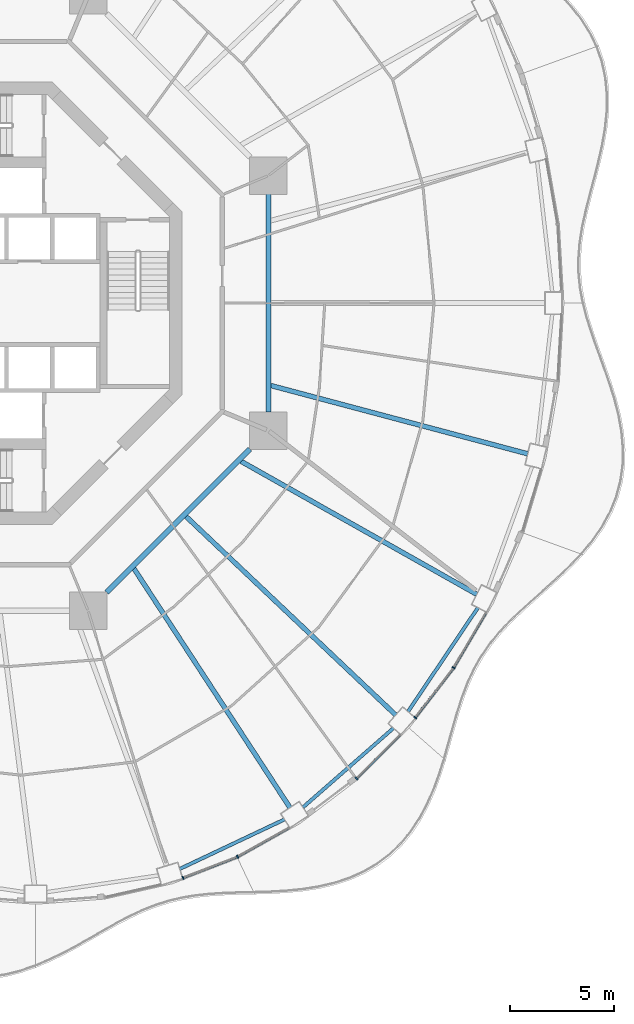
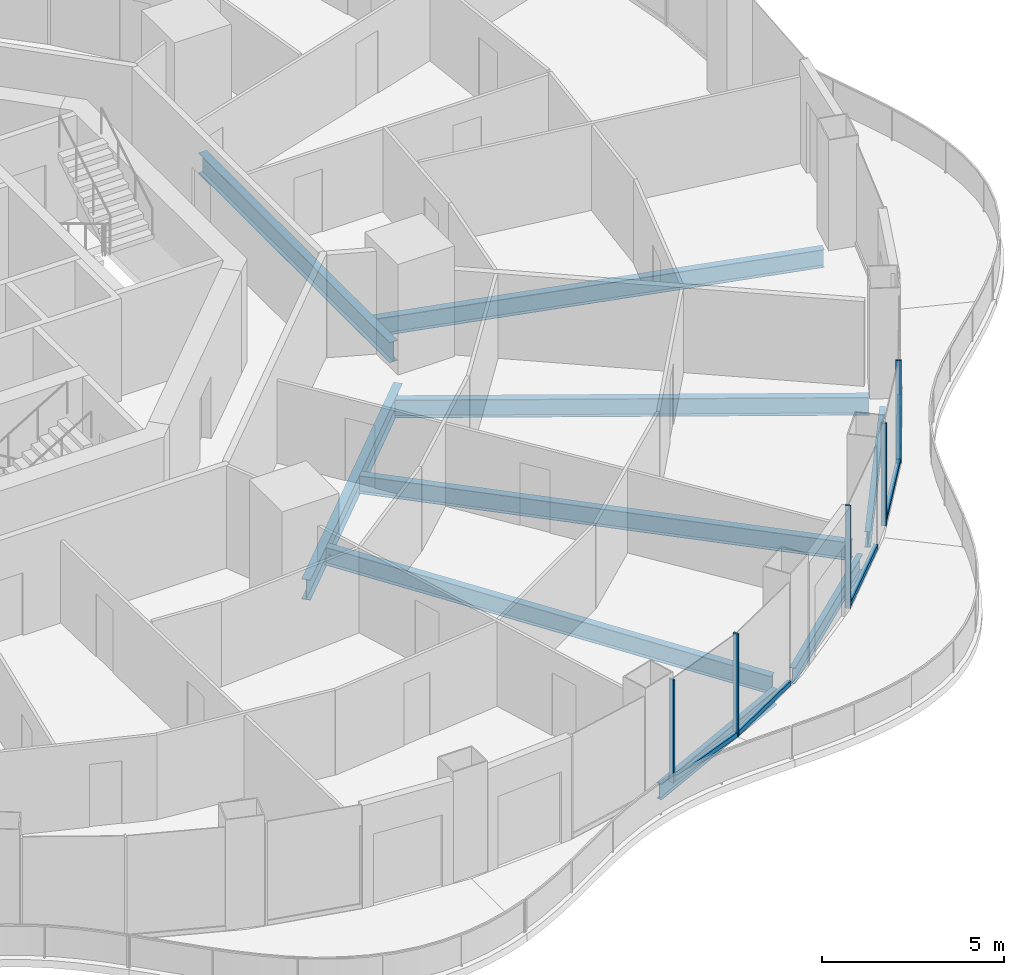
# One storey, part 4 of 19: 10 members, 9 beams, 5 elements without a shape of their own.
"""IFC4 building model written with IfcOpenShell, lengths in metres."""

from ifc_helpers import new_model, si_unit, direction, frame, origin, origin_2d, place, context, subcontext, project, spatial, rectangle, i_section, extrude, material, layer, layer_set, material_profile, profile_set, type_object, element, aggregate, save


model = new_model("IFC4")

# Units and contexts
model_context = context("Model", 3, precision=1e-05, world=origin(), true_north=direction((0.0, 1.0)))
body_context = subcontext(model_context, "Body", "Model", "MODEL_VIEW")
ifc_project = project(units=[si_unit("LENGTHUNIT", "METRE"), si_unit("AREAUNIT", "SQUARE_METRE"), si_unit("VOLUMEUNIT", "CUBIC_METRE"), si_unit("PLANEANGLEUNIT", "RADIAN"), si_unit("MASSUNIT", "GRAM", prefix="KILO")], contexts=[model_context])

# Site, building, storey
site_placement = place(None, origin())
site = spatial("IfcSite", under=ifc_project, at=site_placement, CompositionType="ELEMENT")
building_placement = place(site_placement, origin())
building = spatial("IfcBuilding", under=site, at=building_placement, Name="Nagisa Residences", CompositionType="ELEMENT")
storey_placement = place(building_placement, frame((0.0, 0.0, 173.300048828125)))
storey = spatial("IfcBuildingStorey", under=building, at=storey_placement, Name="L43", CompositionType="ELEMENT", Elevation=173.300048828125)

# Curtain wall, member
ifc_material_1 = material(Name="Concrete-coloured aluminium curtain wall system", Category="concrete")
ifc_layer = layer(ifc_material_1, 0.159912109375)
ifc_layer_set = layer_set([ifc_layer], Name="CW1 CURTAIN WALL")
curtain_wall_type = type_object("IfcCurtainWallType", Name="CW1 CURTAIN WALL", PredefinedType="NOTDEFINED", material=ifc_layer_set)
curtain_wall_1_placement = place(storey_placement, origin())
curtain_wall_1 = element("IfcCurtainWall", 1, at=curtain_wall_1_placement, inside=storey, type_object=curtain_wall_type, Name="cw:CW1:L43:38", PredefinedType="NOTDEFINED")
ifc_material_2 = material(Name="Concrete-coloured aluminium", Category="concrete")
ifc_material_profile_1 = material_profile(ifc_material_2, rectangle(XDim=0.159912109375, YDim=0.06005859375, at=origin_2d()), Name="CW1 MULLION 160x60")
ifc_profile_set_1 = profile_set([ifc_material_profile_1], Name="Concrete-coloured aluminium")
member_type_1 = type_object("IfcMemberType", Name="CW1 MULLION 160x60", PredefinedType="MULLION", material=ifc_profile_set_1)
member_1_placement = place(storey_placement, frame((10.6796875, -27.607421875, 0.0), z_axis=(0.0, 0.0, 1.0), x_axis=(-0.360327770268, 0.932825759707, 0.0)))
member_1 = element("IfcMember", 2, at=member_1_placement, type_object=member_type_1, Name="CW1 mullion", PredefinedType="MULLION", context=body_context, shape_type="SweptSolid", body=[
    extrude(rectangle(XDim=0.159912109375, YDim=0.06005859375, at=origin_2d()), origin(), (0.0, 0.0, 1.0), 3.43994140625),
])

curtain_wall_2_placement = place(storey_placement, origin())
curtain_wall_2 = element("IfcCurtainWall", 3, at=curtain_wall_2_placement, inside=storey, type_object=curtain_wall_type, Name="cw:CW1:L43:39", PredefinedType="NOTDEFINED")
member_2_placement = place(storey_placement, frame((13.297607421875, -26.592529296875, 0.0), z_axis=(0.0, 0.0, 1.0), x_axis=(-0.489376918501, 0.872072377523, 0.0)))
member_2 = element("IfcMember", 4, at=member_2_placement, type_object=member_type_1, Name="CW1 mullion", PredefinedType="MULLION", context=body_context, shape_type="SweptSolid", body=[
    extrude(rectangle(XDim=0.159912109375, YDim=0.06005859375, at=origin_2d()), origin(), (0.0, 0.0, 1.0), 3.43994140625),
])

curtain_wall_3_placement = place(storey_placement, origin())
curtain_wall_3 = element("IfcCurtainWall", 5, at=curtain_wall_3_placement, inside=storey, type_object=curtain_wall_type, Name="cw:CW1:L43:41", PredefinedType="NOTDEFINED")
member_3_placement = place(storey_placement, frame((19.011962890625, -22.830322265625, 0.0), z_axis=(0.0, 0.0, 1.0), x_axis=(-0.706376885714, 0.707835924016, 0.0)))
member_3 = element("IfcMember", 6, at=member_3_placement, type_object=member_type_1, Name="CW1 mullion", PredefinedType="MULLION", context=body_context, shape_type="SweptSolid", body=[
    extrude(rectangle(XDim=0.159912109375, YDim=0.06005859375, at=origin_2d()), origin(), (0.0, 0.0, 1.0), 3.43994140625),
])

curtain_wall_4_placement = place(storey_placement, origin())
curtain_wall_4 = element("IfcCurtainWall", 7, at=curtain_wall_4_placement, inside=storey, type_object=curtain_wall_type, Name="cw:CW1:L43:42", PredefinedType="NOTDEFINED")
member_4_placement = place(storey_placement, frame((21.83349609375, -19.909423828125, 0.0), z_axis=(0.0, 0.0, 1.0), x_axis=(-0.792070340816, 0.610429828235, 0.0)))
member_4 = element("IfcMember", 8, at=member_4_placement, type_object=member_type_1, Name="CW1 mullion", PredefinedType="MULLION", context=body_context, shape_type="SweptSolid", body=[
    extrude(rectangle(XDim=0.159912109375, YDim=0.06005859375, at=origin_2d()), origin(), (0.0, 0.0, 1.0), 3.43994140625),
])

curtain_wall_5_placement = place(storey_placement, origin())
curtain_wall_5 = element("IfcCurtainWall", 9, at=curtain_wall_5_placement, inside=storey, type_object=curtain_wall_type, Name="cw:CW1:L43:43", PredefinedType="NOTDEFINED")
member_5_placement = place(storey_placement, frame((23.677490234375, -17.51171875, 0.0), z_axis=(0.0, 0.0, 1.0), x_axis=(-0.862328898214, 0.506348567002, 0.0)))
member_5 = element("IfcMember", 10, at=member_5_placement, type_object=member_type_1, Name="CW1 mullion", PredefinedType="MULLION", context=body_context, shape_type="SweptSolid", body=[
    extrude(rectangle(XDim=0.159912109375, YDim=0.06005859375, at=origin_2d()), origin(), (0.0, 0.0, 1.0), 3.43994140625),
])

# Member
ifc_material_3 = material(Name="Concrete-coloured aluminium", Category="concrete")
ifc_material_profile_2 = material_profile(ifc_material_3, rectangle(XDim=0.1201171875, YDim=0.14990234375, at=origin_2d()), Name="CW1 TRANSOM 120x150")
ifc_profile_set_2 = profile_set([ifc_material_profile_2], Name="Concrete-coloured aluminium")
member_type_2 = type_object("IfcMemberType", Name="CW1 TRANSOM 120x150", PredefinedType="USERDEFINED", material=ifc_profile_set_2)
member_6_placement = place(storey_placement, frame((10.65185546875, -27.618408203125, 0.074951171875), z_axis=(0.932795487898, 0.360406128911, 0.0), x_axis=(-0.360406128911, 0.932795487898, 0.0)))
member_6 = element("IfcMember", 11, at=member_6_placement, type_object=member_type_2, Name="CW1 transom", ObjectType="TRANSOM", PredefinedType="USERDEFINED", context=body_context, shape_type="SweptSolid", body=[
    extrude(rectangle(XDim=0.1201171875, YDim=0.14990234375, at=origin_2d()), origin(), (0.0, 0.0, 1.0), 2.8193359375),
])

aggregate(curtain_wall_1, [member_1, member_6])

member_7_placement = place(storey_placement, frame((13.271484375, -26.607177734375, 0.074951171875), z_axis=(0.872078262455, 0.489366431371, 0.0), x_axis=(-0.489366431371, 0.872078262455, 0.0)))
member_7 = element("IfcMember", 12, at=member_7_placement, type_object=member_type_2, Name="CW1 transom", ObjectType="TRANSOM", PredefinedType="USERDEFINED", context=body_context, shape_type="SweptSolid", body=[
    extrude(rectangle(XDim=0.1201171875, YDim=0.14990234375, at=origin_2d()), origin(), (0.0, 0.0, 1.0), 2.863525390625),
])

aggregate(curtain_wall_2, [member_2, member_7])

member_8_placement = place(storey_placement, frame((18.99072265625, -22.8515625, 0.074951171875), z_axis=(0.707803821372, 0.706409053206, 0.0), x_axis=(-0.706409053206, 0.707803821372, 0.0)))
member_8 = element("IfcMember", 13, at=member_8_placement, type_object=member_type_2, Name="CW1 transom", ObjectType="TRANSOM", PredefinedType="USERDEFINED", context=body_context, shape_type="SweptSolid", body=[
    extrude(rectangle(XDim=0.1201171875, YDim=0.14990234375, at=origin_2d()), origin(), (0.0, 0.0, 1.0), 2.9755859375),
])

aggregate(curtain_wall_3, [member_3, member_8])

member_9_placement = place(storey_placement, frame((21.815185546875, -19.933349609375, 0.074951171875), z_axis=(0.610398538814, 0.792094453846, 0.0), x_axis=(-0.792094453846, 0.610398538814, 0.0)))
member_9 = element("IfcMember", 14, at=member_9_placement, type_object=member_type_2, Name="CW1 transom", ObjectType="TRANSOM", PredefinedType="USERDEFINED", context=body_context, shape_type="SweptSolid", body=[
    extrude(rectangle(XDim=0.1201171875, YDim=0.14990234375, at=origin_2d()), origin(), (0.0, 0.0, 1.0), 3.035400390625),
])

aggregate(curtain_wall_4, [member_4, member_9])

member_10_placement = place(storey_placement, frame((23.662353515625, -17.53759765625, 0.074951171875), z_axis=(0.506367803691, 0.862317602386, 0.0), x_axis=(-0.862317602386, 0.506367803691, 0.0)))
member_10 = element("IfcMember", 15, at=member_10_placement, type_object=member_type_2, Name="CW1 transom", ObjectType="TRANSOM", PredefinedType="USERDEFINED", context=body_context, shape_type="SweptSolid", body=[
    extrude(rectangle(XDim=0.1201171875, YDim=0.14990234375, at=origin_2d()), origin(), (0.0, 0.0, 1.0), 3.092041015625),
])

aggregate(curtain_wall_5, [member_5, member_10])

# Beams
ifc_material_4 = material(Name="Steel ASTM A572 Gr 50", Category="steel")
ifc_material_profile_3 = material_profile(ifc_material_4, i_section(OverallWidth=0.25390625, OverallDepth=0.68408203125, WebThickness=0.012451171875, FlangeThickness=0.018798828125, at=origin_2d()), Name="W690x140")
ifc_profile_set_3 = profile_set([ifc_material_profile_3], Name="Steel ASTM A572 Gr 50")
beam_type_1 = type_object("IfcBeamType", Name="Inner ring beam W690x140", PredefinedType="BEAM", material=ifc_profile_set_3)
beam_1_placement = place(storey_placement, frame((7.0087890625, -13.896240234375, -0.60205078125), z_axis=(0.707106781187, 0.707106781187, 0.0), x_axis=(-0.707106781187, 0.707106781187, 0.0)))
element("IfcBeam", 16, at=beam_1_placement, inside=storey, type_object=beam_type_1, Name="beam:L43:ib7", PredefinedType="BEAM", context=body_context, shape_type="SweptSolid", body=[
    extrude(i_section(OverallWidth=0.25390625, OverallDepth=0.68408203125, WebThickness=0.012451171875, FlangeThickness=0.018798828125, at=origin_2d()), origin(), (0.0, 0.0, 1.0), 9.740234375),
])
beam_2_placement = place(storey_placement, frame((14.781982421875, -5.242919921875, -0.60205078125), z_axis=(0.0, 1.0, 0.0), x_axis=(-1.0, 0.0, 0.0)))
element("IfcBeam", 17, at=beam_2_placement, inside=storey, type_object=beam_type_1, Name="beam:L43:ib8", PredefinedType="BEAM", context=body_context, shape_type="SweptSolid", body=[
    extrude(i_section(OverallWidth=0.25390625, OverallDepth=0.68408203125, WebThickness=0.012451171875, FlangeThickness=0.018798828125, at=origin_2d()), origin(), (0.0, 0.0, 1.0), 10.48583984375),
])
ifc_material_5 = material(Name="Steel ASTM A572 Gr 50", Category="steel")
ifc_material_profile_4 = material_profile(ifc_material_5, i_section(OverallWidth=0.166015625, OverallDepth=0.534912109375, WebThickness=0.01025390625, FlangeThickness=0.0166015625, at=origin_2d()), Name="W530x85")
ifc_profile_set_4 = profile_set([ifc_material_profile_4], Name="Steel ASTM A572 Gr 50")
beam_type_2 = type_object("IfcBeamType", Name="Perimeter ring beam W530x85", PredefinedType="BEAM", material=ifc_profile_set_4)
beam_3_placement = place(storey_placement, frame((10.522705078125, -27.17919921875, -0.527587890625), z_axis=(0.904157325884, 0.427199637232, 0.0), x_axis=(-0.427199637232, 0.904157325884, 0.0)))
element("IfcBeam", 18, at=beam_3_placement, inside=storey, type_object=beam_type_2, Name="beam:L43:pb20", PredefinedType="BEAM", context=body_context, shape_type="SweptSolid", body=[
    extrude(i_section(OverallWidth=0.166015625, OverallDepth=0.534912109375, WebThickness=0.01025390625, FlangeThickness=0.0166015625, at=origin_2d()), origin(), (0.0, 0.0, 1.0), 5.56396484375),
])
beam_4_placement = place(storey_placement, frame((16.440185546875, -24.220947265625, -0.527587890625), z_axis=(0.752461486776, 0.658636250838, 0.0), x_axis=(-0.658636250838, 0.752461486776, 0.0)))
element("IfcBeam", 19, at=beam_4_placement, inside=storey, type_object=beam_type_2, Name="beam:L43:pb21", PredefinedType="BEAM", context=body_context, shape_type="SweptSolid", body=[
    extrude(i_section(OverallWidth=0.166015625, OverallDepth=0.534912109375, WebThickness=0.01025390625, FlangeThickness=0.0166015625, at=origin_2d()), origin(), (0.0, 0.0, 1.0), 5.776611328125),
])
beam_5_placement = place(storey_placement, frame((21.487548828125, -19.62060546875, -0.527587890625), z_axis=(0.558152301307, 0.829738518177, 0.0), x_axis=(-0.829738518177, 0.558152301307, 0.0)))
element("IfcBeam", 20, at=beam_5_placement, inside=storey, type_object=beam_type_2, Name="beam:L43:pb22", PredefinedType="BEAM", context=body_context, shape_type="SweptSolid", body=[
    extrude(i_section(OverallWidth=0.166015625, OverallDepth=0.534912109375, WebThickness=0.01025390625, FlangeThickness=0.0166015625, at=origin_2d()), origin(), (0.0, 0.0, 1.0), 6.013916015625),
])
ifc_material_6 = material(Name="Steel ASTM A572 Gr 50", Category="steel")
ifc_material_profile_5 = material_profile(ifc_material_6, i_section(OverallWidth=0.22802734375, OverallDepth=0.60302734375, WebThickness=0.010498046875, FlangeThickness=0.014892578125, at=origin_2d()), Name="W610x101")
ifc_profile_set_5 = profile_set([ifc_material_profile_5], Name="Steel ASTM A572 Gr 50")
beam_type_3 = type_object("IfcBeamType", Name="Radial beam W610x101", PredefinedType="BEAM", material=ifc_profile_set_5)
beam_6_placement = place(storey_placement, frame((15.816162109375, -24.234375, -0.5615234375), z_axis=(-0.546541244511, 0.837432187135, 0.0), x_axis=(-0.837432187135, -0.546541244511, 0.0)))
element("IfcBeam", 21, at=beam_6_placement, inside=storey, type_object=beam_type_3, Name="beam:L43:rb21", PredefinedType="BEAM", context=body_context, shape_type="SweptSolid", body=[
    extrude(i_section(OverallWidth=0.22802734375, OverallDepth=0.60302734375, WebThickness=0.010498046875, FlangeThickness=0.014892578125, at=origin_2d()), origin(), (0.0, 0.0, 1.0), 13.72412109375),
])
beam_7_placement = place(storey_placement, frame((20.89501953125, -19.785400390625, -0.5615234375), z_axis=(-0.726119962477, 0.687568033064, 0.0), x_axis=(-0.687568033064, -0.726119962477, 0.0)))
element("IfcBeam", 22, at=beam_7_placement, inside=storey, type_object=beam_type_3, Name="beam:L43:rb22", PredefinedType="BEAM", context=body_context, shape_type="SweptSolid", body=[
    extrude(i_section(OverallWidth=0.22802734375, OverallDepth=0.60302734375, WebThickness=0.010498046875, FlangeThickness=0.014892578125, at=origin_2d()), origin(), (0.0, 0.0, 1.0), 13.88134765625),
])
beam_8_placement = place(storey_placement, frame((24.789306640625, -13.98828125, -0.5615234375), z_axis=(-0.870904520395, 0.491452252366, 0.0), x_axis=(-0.491452252366, -0.870904520395, 0.0)))
element("IfcBeam", 23, at=beam_8_placement, inside=storey, type_object=beam_type_3, Name="beam:L43:rb23", PredefinedType="BEAM", context=body_context, shape_type="SweptSolid", body=[
    extrude(i_section(OverallWidth=0.22802734375, OverallDepth=0.60302734375, WebThickness=0.010498046875, FlangeThickness=0.014892578125, at=origin_2d()), origin(), (0.0, 0.0, 1.0), 13.007080078125),
])
beam_9_placement = place(storey_placement, frame((27.23583984375, -7.239990234375, -0.5615234375), z_axis=(-0.966436061719, 0.256907256826, 0.0), x_axis=(-0.256907256826, -0.966436061719, 0.0)))
element("IfcBeam", 24, at=beam_9_placement, inside=storey, type_object=beam_type_3, Name="beam:L43:rb24", PredefinedType="BEAM", context=body_context, shape_type="SweptSolid", body=[
    extrude(i_section(OverallWidth=0.22802734375, OverallDepth=0.60302734375, WebThickness=0.010498046875, FlangeThickness=0.014892578125, at=origin_2d()), origin(), (0.0, 0.0, 1.0), 12.77490234375),
])

save(model, "model.ifc")
